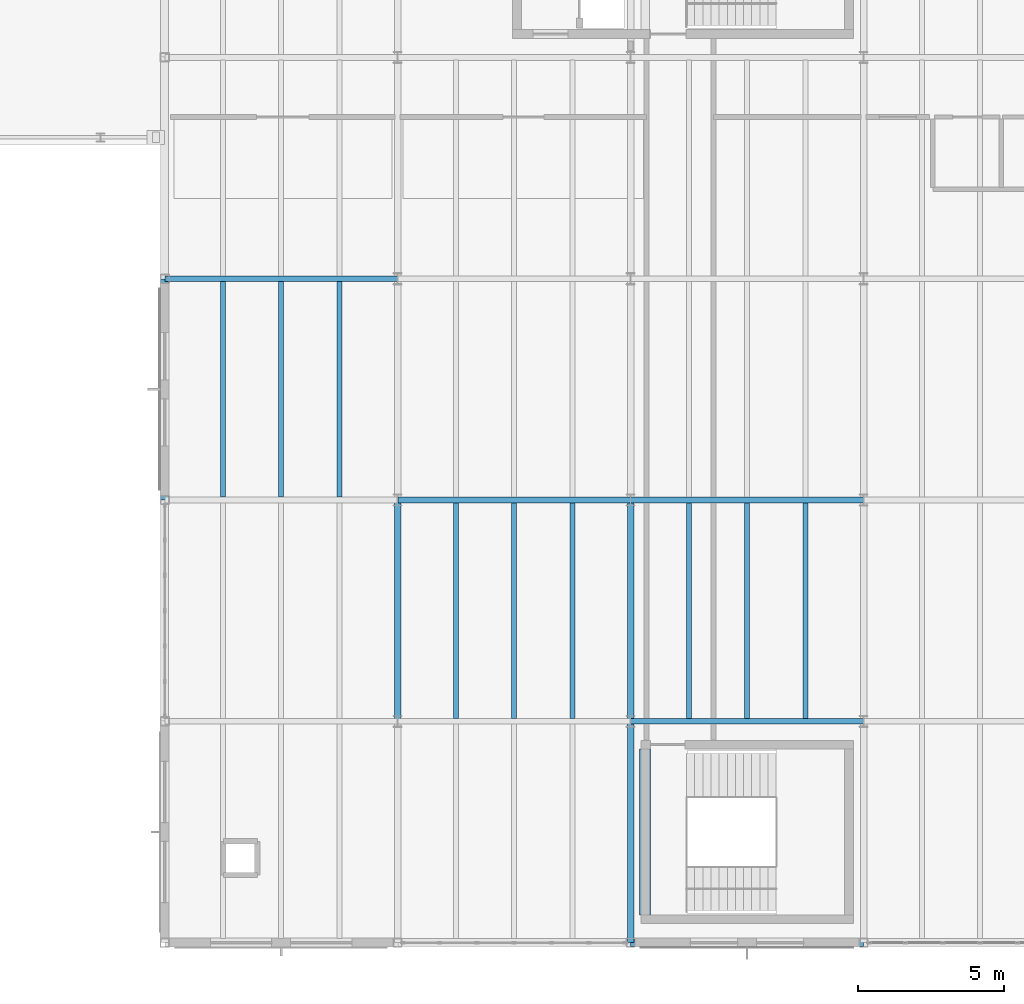
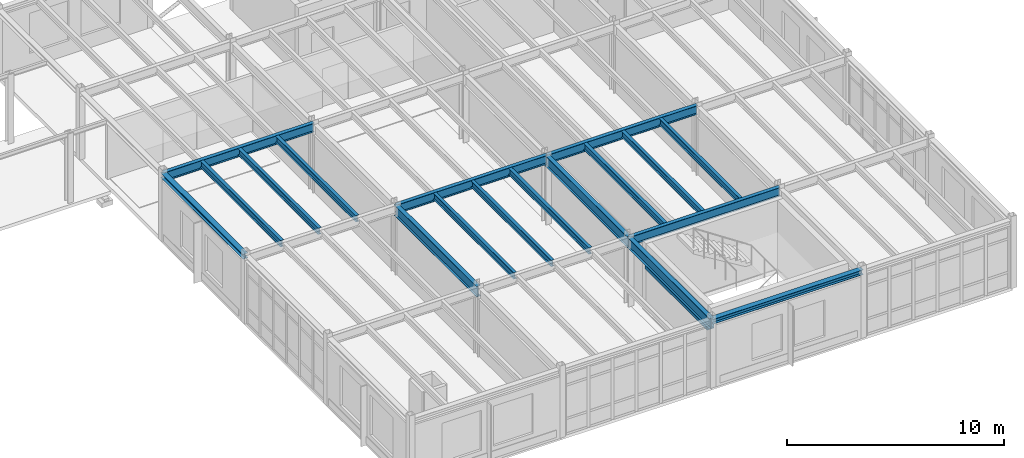
# One storey, part 98 of 165: 19 beams.
"""IFC4 building model written with IfcOpenShell, lengths in metres."""

from ifc_helpers import new_model, si_unit, direction, frame, origin, origin_2d, place, context, subcontext, project, spatial, rectangle, i_section, extrude, material, material_profile, profile_set, type_object, element, save


model = new_model("IFC4")

# Units and contexts
model_context = context("Model", 3, precision=1e-05, world=origin(), true_north=direction((0.0, 1.0)))
body_context = subcontext(model_context, "Body", "Model", "MODEL_VIEW")
ifc_project = project(units=[si_unit("LENGTHUNIT", "METRE"), si_unit("AREAUNIT", "SQUARE_METRE"), si_unit("VOLUMEUNIT", "CUBIC_METRE"), si_unit("PLANEANGLEUNIT", "RADIAN"), si_unit("MASSUNIT", "GRAM", prefix="KILO")], contexts=[model_context])

# Site, building, storey
site_placement = place(None, origin())
site = spatial("IfcSite", under=ifc_project, at=site_placement, CompositionType="ELEMENT")
building_placement = place(site_placement, origin())
building = spatial("IfcBuilding", under=site, at=building_placement, Name="Montecoro Central Library", CompositionType="ELEMENT")
storey_placement = place(building_placement, frame((0.0, 0.0, 5.10009765625)))
storey = spatial("IfcBuildingStorey", under=building, at=storey_placement, Name="L01", CompositionType="ELEMENT", Elevation=5.10009765625)

# Beams
ifc_material_1 = material(Name="Steel S355", Category="steel")
ifc_material_profile_1 = material_profile(ifc_material_1, i_section(OverallWidth=0.199951171875, OverallDepth=0.5, WebThickness=0.01025390625, FlangeThickness=0.01611328125, at=origin_2d()), Name="IPE 500")
ifc_profile_set_1 = profile_set([ifc_material_profile_1], Name="Steel S355")
beam_type_1 = type_object("IfcBeamType", Name="BM-G-IPE500", PredefinedType="USERDEFINED", material=ifc_profile_set_1)
for number, where, z_axis, x_axis, name in (
    (1, (157.0048828125, 12.60009765625, 3.574951171875), (1.0, 0.0, 0.0), (0.0, 1.0, 0.0), "V6-L01-BX-2021-B"),
    (2, (149.0048828125, 20.199951171875, 3.574951171875), (1.0, 0.0, 0.0), (0.0, 1.0, 0.0), "V6-L01-BX-1920-C"),
    (3, (157.0048828125, 20.199951171875, 3.574951171875), (1.0, 0.0, 0.0), (0.0, 1.0, 0.0), "V6-L01-BX-2021-C"),
    (4, (141.0048828125, 27.800048828125, 3.574951171875), (1.0, 0.0, 0.0), (0.0, 1.0, 0.0), "V6-L01-BX-1819-D"),
):
    element("IfcBeam", number, at=place(storey_placement, frame(where, z_axis=z_axis, x_axis=x_axis)), inside=storey, type_object=beam_type_1, Name=name, ObjectType="GIRDER", PredefinedType="USERDEFINED", context=body_context, shape_type="SweptSolid", body=[
        extrude(i_section(OverallWidth=0.199951171875, OverallDepth=0.5, WebThickness=0.01025390625, FlangeThickness=0.01611328125, at=origin_2d()), origin(), (0.0, 0.0, 1.0), 7.990234375),
    ])
ifc_material_2 = material(Name="Steel S355J2", Category="steel")
ifc_material_profile_2 = material_profile(ifc_material_2, i_section(OverallWidth=0.219970703125, OverallDepth=0.60009765625, WebThickness=0.011962890625, FlangeThickness=0.01904296875, at=origin_2d()), Name="IPE 600")
ifc_profile_set_2 = profile_set([ifc_material_profile_2], Name="Steel S355J2")
beam_type_2 = type_object("IfcBeamType", Name="BM-G-IPE600", PredefinedType="USERDEFINED", material=ifc_profile_set_2)
for number, where, z_axis, x_axis, name in (
    (5, (149.0, 12.60498046875, 3.52490234375), (0.0, 1.0, 0.0), (-1.0, 0.0, 0.0), "V6-L01-BY-19-BC"),
    (6, (157.0, 5.0048828125, 3.52490234375), (0.0, 1.0, 0.0), (-1.0, 0.0, 0.0), "V6-L01-BY-20-AB"),
    (7, (157.0, 12.60498046875, 3.52490234375), (0.0, 1.0, 0.0), (-1.0, 0.0, 0.0), "V6-L01-BY-20-BC"),
):
    element("IfcBeam", number, at=place(storey_placement, frame(where, z_axis=z_axis, x_axis=x_axis)), inside=storey, type_object=beam_type_2, Name=name, ObjectType="GIRDER", PredefinedType="USERDEFINED", context=body_context, shape_type="SweptSolid", body=[
        extrude(i_section(OverallWidth=0.219970703125, OverallDepth=0.60009765625, WebThickness=0.011962890625, FlangeThickness=0.01904296875, at=origin_2d()), origin(), (0.0, 0.0, 1.0), 7.590087890625),
    ])
ifc_material_profile_3 = material_profile(ifc_material_1, i_section(OverallWidth=0.169921875, OverallDepth=0.360107421875, WebThickness=0.008056640625, FlangeThickness=0.0126953125, at=origin_2d()), Name="IPE 360")
ifc_profile_set_3 = profile_set([ifc_material_profile_3], Name="Steel S355")
beam_type_3 = type_object("IfcBeamType", Name="BM-J-IPE360", PredefinedType="JOIST", material=ifc_profile_set_3)
for number, where, z_axis, x_axis, name in (
    (8, (143.0, 20.297119140625, 3.64501953125), (0.0, 1.0, 0.0), (-1.0, 0.0, 0.0), "V6-L01-JS-1819-CD-1"),
    (9, (145.0, 20.297119140625, 3.64501953125), (0.0, 1.0, 0.0), (-1.0, 0.0, 0.0), "V6-L01-JS-1819-CD-2"),
    (10, (147.0, 20.297119140625, 3.64501953125), (0.0, 1.0, 0.0), (-1.0, 0.0, 0.0), "V6-L01-JS-1819-CD-3"),
):
    element("IfcBeam", number, at=place(storey_placement, frame(where, z_axis=z_axis, x_axis=x_axis)), inside=storey, type_object=beam_type_3, Name=name, PredefinedType="JOIST", context=body_context, shape_type="SweptSolid", body=[
        extrude(i_section(OverallWidth=0.169921875, OverallDepth=0.360107421875, WebThickness=0.008056640625, FlangeThickness=0.0126953125, at=origin_2d()), origin(), (0.0, 0.0, 1.0), 7.40576171875),
    ])
for number, where, z_axis, x_axis, name in (
    (11, (151.0, 12.697021484375, 3.64501953125), (0.0, 1.0, 0.0), (-1.0, 0.0, 0.0), "V6-L01-JS-1920-BC-1"),
    (12, (153.0, 12.697021484375, 3.64501953125), (0.0, 1.0, 0.0), (-1.0, 0.0, 0.0), "V6-L01-JS-1920-BC-2"),
    (13, (155.0, 12.697021484375, 3.64501953125), (0.0, 1.0, 0.0), (-1.0, 0.0, 0.0), "V6-L01-JS-1920-BC-3"),
    (14, (159.0, 12.697021484375, 3.64501953125), (0.0, 1.0, 0.0), (-1.0, 0.0, 0.0), "V6-L01-JS-2021-BC-1"),
    (15, (161.0, 12.697021484375, 3.64501953125), (0.0, 1.0, 0.0), (-1.0, 0.0, 0.0), "V6-L01-JS-2021-BC-2"),
    (16, (163.0, 12.697021484375, 3.64501953125), (0.0, 1.0, 0.0), (-1.0, 0.0, 0.0), "V6-L01-JS-2021-BC-3"),
):
    element("IfcBeam", number, at=place(storey_placement, frame(where, z_axis=z_axis, x_axis=x_axis)), inside=storey, type_object=beam_type_3, Name=name, PredefinedType="JOIST", context=body_context, shape_type="SweptSolid", body=[
        extrude(i_section(OverallWidth=0.169921875, OverallDepth=0.360107421875, WebThickness=0.008056640625, FlangeThickness=0.0126953125, at=origin_2d()), origin(), (0.0, 0.0, 1.0), 7.406005859375),
    ])
ifc_material_3 = material(Name="Concrete C35/45", Category="concrete")
ifc_material_profile_4 = material_profile(ifc_material_3, rectangle(XDim=0.3798828125, YDim=0.6201171875, at=origin_2d()), Name="RC LNT 620x380")
ifc_profile_set_4 = profile_set([ifc_material_profile_4], Name="Concrete C35/45")
beam_type_4 = type_object("IfcBeamType", Name="BM-LN-RC05", PredefinedType="LINTEL", material=ifc_profile_set_4)
beam_1_placement = place(storey_placement, frame((157.5, 5.949951171875, 2.760009765625), z_axis=(0.0, 1.0, 0.0), x_axis=(-1.0, 0.0, 0.0)))
element("IfcBeam", 17, at=beam_1_placement, inside=storey, type_object=beam_type_4, Name="C10-L01-LNT", PredefinedType="LINTEL", context=body_context, shape_type="SweptSolid", body=[
    extrude(rectangle(XDim=0.3798828125, YDim=0.6201171875, at=origin_2d()), origin(), (0.0, 0.0, 1.0), 5.699951171875),
])
ifc_material_profile_5 = material_profile(ifc_material_1, i_section(OverallWidth=0.280029296875, OverallDepth=0.27001953125, WebThickness=0.008056640625, FlangeThickness=0.012939453125, at=origin_2d()), Name="HEA 280")
ifc_profile_set_5 = profile_set([ifc_material_profile_5], Name="Steel S355")
beam_type_5 = type_object("IfcBeamType", Name="BM-SP-HEA280", PredefinedType="SPANDREL", material=ifc_profile_set_5)
beam_2_placement = place(storey_placement, frame((157.0048828125, 5.0, 3.68994140625), z_axis=(1.0, 0.0, 0.0), x_axis=(0.0, 1.0, 0.0)))
element("IfcBeam", 18, at=beam_2_placement, inside=storey, type_object=beam_type_5, Name="V6-L01-BX-2021-A", PredefinedType="SPANDREL", context=body_context, shape_type="SweptSolid", body=[
    extrude(i_section(OverallWidth=0.280029296875, OverallDepth=0.27001953125, WebThickness=0.008056640625, FlangeThickness=0.012939453125, at=origin_2d()), origin(), (0.0, 0.0, 1.0), 7.990234375),
])
beam_3_placement = place(storey_placement, frame((141.0, 20.205078125, 3.68994140625), z_axis=(0.0, 1.0, 0.0), x_axis=(-1.0, 0.0, 0.0)))
element("IfcBeam", 19, at=beam_3_placement, inside=storey, type_object=beam_type_5, Name="V6-L01-BY-18-CD", PredefinedType="SPANDREL", context=body_context, shape_type="SweptSolid", body=[
    extrude(i_section(OverallWidth=0.280029296875, OverallDepth=0.27001953125, WebThickness=0.008056640625, FlangeThickness=0.012939453125, at=origin_2d()), origin(), (0.0, 0.0, 1.0), 7.58984375),
])

save(model, "model.ifc")
